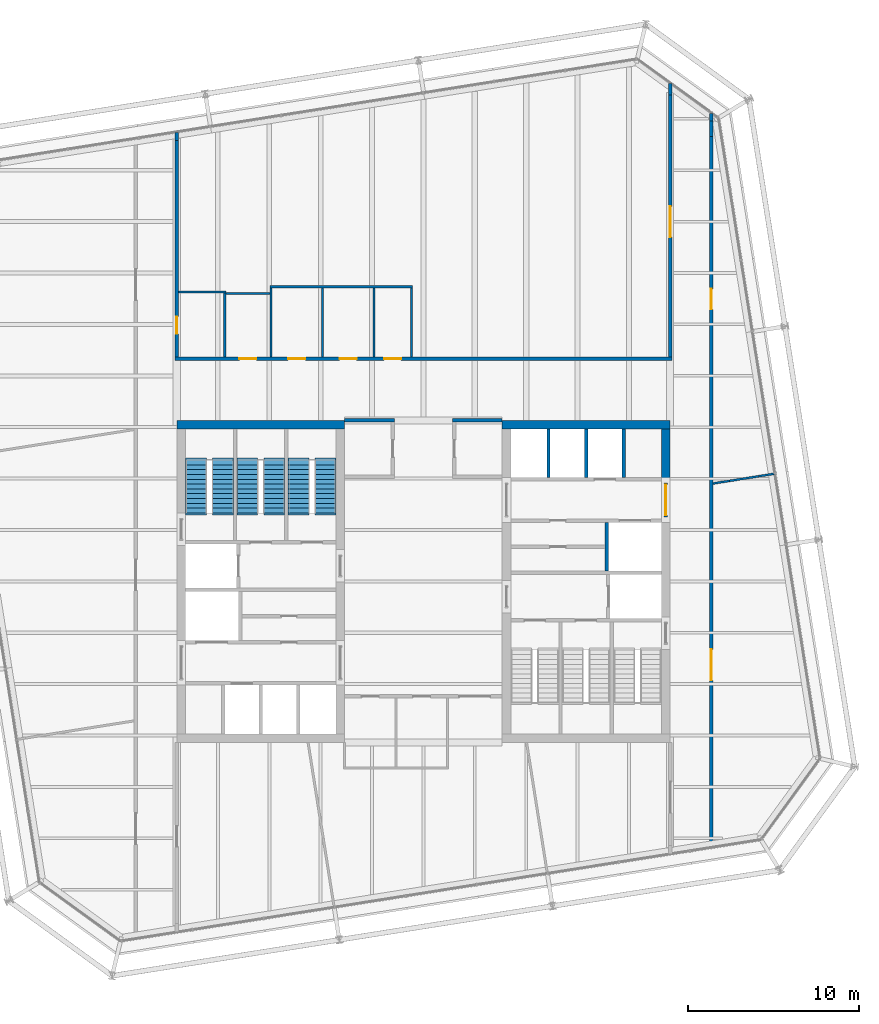
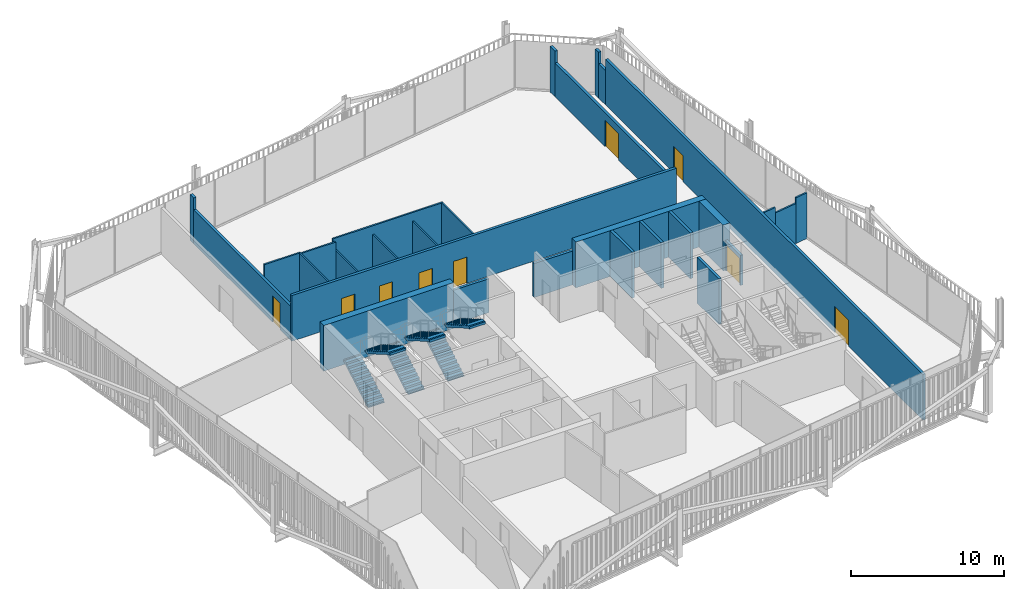
# One storey, part 19 of 21: 29 walls, 9 doors, 6 stair flights, 9 openings, 3 elements without a shape of their own.
"""IFC4 building model written with IfcOpenShell, lengths in metres."""

from ifc_helpers import new_model, si_unit, direction, frame, frame_2d, origin, place, context, subcontext, project, spatial, polyline, rectangle, outline, extrude, material, layer, layer_set, type_object, element, fill, aggregate, save


model = new_model("IFC4")

# Units and contexts
model_context = context("Model", 3, precision=1e-05, world=origin(), true_north=direction((0.0, 1.0)))
body_context = subcontext(model_context, "Body", "Model", "MODEL_VIEW")
ifc_project = project(units=[si_unit("LENGTHUNIT", "METRE"), si_unit("AREAUNIT", "SQUARE_METRE"), si_unit("VOLUMEUNIT", "CUBIC_METRE"), si_unit("PLANEANGLEUNIT", "RADIAN"), si_unit("MASSUNIT", "GRAM", prefix="KILO")], contexts=[model_context])

# Site, building, storey
site_placement = place(None, origin())
site = spatial("IfcSite", under=ifc_project, at=site_placement, CompositionType="ELEMENT")
building_placement = place(site_placement, origin())
building = spatial("IfcBuilding", under=site, at=building_placement, Name="Millrace Tower", CompositionType="ELEMENT")
storey_placement = place(building_placement, frame((0.0, 0.0, 263.0)))
storey = spatial("IfcBuildingStorey", under=building, at=storey_placement, Name="L60", CompositionType="ELEMENT", Elevation=263.0)

# Walls
ifc_material_1 = material(Name="Concrete C60", Category="concrete")
ifc_layer_1 = layer(ifc_material_1, 0.5)
ifc_layer_set_1 = layer_set([ifc_layer_1], Name="Concrete C60")
wall_type_1 = type_object("IfcWallType", Name="Core wall 500 Concrete C60", PredefinedType="SHEAR", material=ifc_layer_set_1)
for number, where, z_axis, x_axis, name in (
    (1, (-14.39990234375, 9.14990234375, 0.0), (0.0, 0.0, 1.0), (1.0, 0.0, 0.0), "Core wall W L60"),
    (2, (14.39990234375, 9.14990234375, 0.0), (0.0, 0.0, 1.0), (-1.0, 0.0, 0.0), "Core wall E L60"),
):
    element("IfcWall", number, at=place(storey_placement, frame(where, z_axis=z_axis, x_axis=x_axis)), inside=storey, type_object=wall_type_1, Name=name, PredefinedType="SHEAR", context=body_context, shape_type="SweptSolid", body=[
        extrude(rectangle(XDim=9.7998046875, YDim=0.5, at=frame_2d((4.89990234375, 0.0))), origin(), (0.0, 0.0, 1.0), 3.64990234375),
    ])
wall_1_placement = place(storey_placement, frame((14.14990234375, 8.89990234375, 0.0), z_axis=(0.0, 0.0, 1.0), x_axis=(0.0, -1.0, 0.0)))
element("IfcWall", 3, at=wall_1_placement, inside=storey, type_object=wall_type_1, Name="Core wall E L60", PredefinedType="SHEAR", context=body_context, shape_type="SweptSolid", body=[
    extrude(rectangle(XDim=3.14990234375, YDim=0.5, at=frame_2d((1.574951171875, 0.0))), origin(), (0.0, 0.0, 1.0), 3.64990234375),
])
ifc_material_2 = material(Name="Masonry partition, fire-rated", Category="masonry")
ifc_layer_2 = layer(ifc_material_2, 0.199951171875)
ifc_layer_set_2 = layer_set([ifc_layer_2], Name="Masonry partition, fire-rated")
wall_type_2 = type_object("IfcWallType", Name="Corridor wall 200", PredefinedType="PARTITIONING", material=ifc_layer_set_2)
for number, where, z_axis, x_axis, name in (
    (4, (-4.60009765625, 9.39990234375, 0.0), (0.0, 0.0, 1.0), (1.0, 0.0, 0.0), "Corridor wall L60"),
    (5, (1.699951171875, 9.39990234375, 0.0), (0.0, 0.0, 1.0), (1.0, 0.0, 0.0), "Corridor wall L60"),
):
    element("IfcWall", number, at=place(storey_placement, frame(where, z_axis=z_axis, x_axis=x_axis)), inside=storey, type_object=wall_type_2, Name=name, PredefinedType="PARTITIONING", context=body_context, shape_type="SweptSolid", body=[
        extrude(rectangle(XDim=2.900146484375, YDim=0.199951171875, at=frame_2d((1.4501953125, 0.0))), origin(), (0.0, 0.0, 1.0), 2.70263671875),
    ])

# Wall, openings, doors
wall_2_placement = place(storey_placement, frame((-14.5, 13.0, 0.0), z_axis=(0.0, 0.0, 1.0), x_axis=(1.0, 0.0, 0.0)))
wall_2 = element("IfcWall", 6, at=wall_2_placement, inside=storey, type_object=wall_type_2, Name="Corridor wall L60", PredefinedType="PARTITIONING", context=body_context, shape_type="SweptSolid", body=[
    extrude(rectangle(XDim=29.0, YDim=0.199951171875, at=frame_2d((14.5, 0.0))), origin(), (0.0, 0.0, 1.0), 3.64990234375),
])
opening_1_placement = place(wall_2_placement, frame((3.75, 0.0, 0.0)))
opening_1 = element("IfcOpeningElement", 7, at=opening_1_placement, cuts=wall_2, Name="Opening 60-P008", PredefinedType="OPENING", context=body_context, shape_type="SweptSolid", body=[
    extrude(rectangle(XDim=1.0, YDim=2.10009765625, at=frame_2d((0.5, 1.050048828125))), frame((0.0, 0.10986328125, 0.0), z_axis=(0.0, -1.0, 0.0), x_axis=(1.0, 0.0, 0.0)), (0.0, 0.0, 1.0), 0.219970703125),
])
opening_2_placement = place(wall_2_placement, frame((6.60009765625, 0.0, 0.0)))
opening_2 = element("IfcOpeningElement", 8, at=opening_2_placement, cuts=wall_2, Name="Opening 60-P016", PredefinedType="OPENING", context=body_context, shape_type="SweptSolid", body=[
    extrude(rectangle(XDim=1.0, YDim=2.10009765625, at=frame_2d((0.5, 1.050048828125))), frame((0.0, 0.10986328125, 0.0), z_axis=(0.0, -1.0, 0.0), x_axis=(1.0, 0.0, 0.0)), (0.0, 0.0, 1.0), 0.219970703125),
])
opening_3_placement = place(wall_2_placement, frame((9.60009765625, 0.0, 0.0)))
opening_3 = element("IfcOpeningElement", 9, at=opening_3_placement, cuts=wall_2, Name="Opening 60-P017", PredefinedType="OPENING", context=body_context, shape_type="SweptSolid", body=[
    extrude(rectangle(XDim=1.0, YDim=2.10009765625, at=frame_2d((0.5, 1.050048828125))), frame((0.0, 0.10986328125, 0.0), z_axis=(0.0, -1.0, 0.0), x_axis=(1.0, 0.0, 0.0)), (0.0, 0.0, 1.0), 0.219970703125),
])
opening_4_placement = place(wall_2_placement, frame((12.199951171875, 0.0, 0.0)))
opening_4 = element("IfcOpeningElement", 10, at=opening_4_placement, cuts=wall_2, Name="Opening 60-P018", PredefinedType="OPENING", context=body_context, shape_type="SweptSolid", body=[
    extrude(rectangle(XDim=1.0, YDim=2.10009765625, at=frame_2d((0.5, 1.050048828125))), frame((0.0, 0.10986328125, 0.0), z_axis=(0.0, -1.0, 0.0), x_axis=(1.0, 0.0, 0.0)), (0.0, 0.0, 1.0), 0.219970703125),
])
ifc_material_3 = material(Name="Steel door set, fire-rated", Category="steel")
door_type_1 = type_object("IfcDoorType", Name="Corridor door 1000 x 2100", OperationType="SINGLE_SWING_LEFT", PredefinedType="DOOR", material=ifc_material_3)
door_1_placement = place(opening_1_placement, origin())
door_1 = element("IfcDoor", 11, at=door_1_placement, inside=storey, type_object=door_type_1, Name="Door 60-P008", OperationType="SINGLE_SWING_LEFT", OverallHeight=2.10009765625, OverallWidth=1.0, PredefinedType="DOOR", context=body_context, shape_type="SweptSolid", body=[
    extrude(rectangle(XDim=1.0, YDim=2.10009765625, at=frame_2d((0.5, 1.050048828125))), frame((0.0, 0.02490234375, 0.0), z_axis=(0.0, -1.0, 0.0), x_axis=(1.0, 0.0, 0.0)), (0.0, 0.0, 1.0), 0.050048828125),
])
fill(opening_1, door_1)
door_2_placement = place(opening_2_placement, origin())
door_2 = element("IfcDoor", 12, at=door_2_placement, inside=storey, type_object=door_type_1, Name="Door 60-P016", OperationType="SINGLE_SWING_LEFT", OverallHeight=2.10009765625, OverallWidth=1.0, PredefinedType="DOOR", context=body_context, shape_type="SweptSolid", body=[
    extrude(rectangle(XDim=1.0, YDim=2.10009765625, at=frame_2d((0.5, 1.050048828125))), frame((0.0, 0.02490234375, 0.0), z_axis=(0.0, -1.0, 0.0), x_axis=(1.0, 0.0, 0.0)), (0.0, 0.0, 1.0), 0.050048828125),
])
fill(opening_2, door_2)
door_3_placement = place(opening_3_placement, origin())
door_3 = element("IfcDoor", 13, at=door_3_placement, inside=storey, type_object=door_type_1, Name="Door 60-P017", OperationType="SINGLE_SWING_LEFT", OverallHeight=2.10009765625, OverallWidth=1.0, PredefinedType="DOOR", context=body_context, shape_type="SweptSolid", body=[
    extrude(rectangle(XDim=1.0, YDim=2.10009765625, at=frame_2d((0.5, 1.050048828125))), frame((0.0, 0.02490234375, 0.0), z_axis=(0.0, -1.0, 0.0), x_axis=(1.0, 0.0, 0.0)), (0.0, 0.0, 1.0), 0.050048828125),
])
fill(opening_3, door_3)
door_4_placement = place(opening_4_placement, origin())
door_4 = element("IfcDoor", 14, at=door_4_placement, inside=storey, type_object=door_type_1, Name="Door 60-P018", OperationType="SINGLE_SWING_LEFT", OverallHeight=2.10009765625, OverallWidth=1.0, PredefinedType="DOOR", context=body_context, shape_type="SweptSolid", body=[
    extrude(rectangle(XDim=1.0, YDim=2.10009765625, at=frame_2d((0.5, 1.050048828125))), frame((0.0, 0.02490234375, 0.0), z_axis=(0.0, -1.0, 0.0), x_axis=(1.0, 0.0, 0.0)), (0.0, 0.0, 1.0), 0.050048828125),
])
fill(opening_4, door_4)

wall_3_placement = place(storey_placement, frame((16.800048828125, -15.494384765625, 0.0), z_axis=(0.0, 0.0, 1.0), x_axis=(0.0, 1.0, 0.0)))
wall_3 = element("IfcWall", 15, at=wall_3_placement, inside=storey, type_object=wall_type_2, Name="Corridor wall L60", PredefinedType="PARTITIONING", context=body_context, shape_type="SweptSolid", body=[
    extrude(rectangle(XDim=41.457275390625, YDim=0.199951171875, at=frame_2d((20.728515625, 0.0))), origin(), (0.0, 0.0, 1.0), 3.64990234375),
])
opening_5_placement = place(wall_3_placement, frame((9.720458984375, 0.0, 0.0)))
opening_5 = element("IfcOpeningElement", 16, at=opening_5_placement, cuts=wall_3, Name="Opening 60-P009", PredefinedType="OPENING", context=body_context, shape_type="SweptSolid", body=[
    extrude(rectangle(XDim=1.800048828125, YDim=2.10009765625, at=frame_2d((0.89990234375, 1.050048828125))), frame((0.0, 0.10986328125, 0.0), z_axis=(0.0, -1.0, 0.0), x_axis=(1.0, 0.0, 0.0)), (0.0, 0.0, 1.0), 0.219970703125),
])
opening_6_placement = place(wall_3_placement, frame((31.368408203125, 0.0, 0.0)))
opening_6 = element("IfcOpeningElement", 17, at=opening_6_placement, cuts=wall_3, Name="Opening 60-P010", PredefinedType="OPENING", context=body_context, shape_type="SweptSolid", body=[
    extrude(rectangle(XDim=1.199951171875, YDim=2.10009765625, at=frame_2d((0.60009765625, 1.050048828125))), frame((0.0, 0.10986328125, 0.0), z_axis=(0.0, -1.0, 0.0), x_axis=(1.0, 0.0, 0.0)), (0.0, 0.0, 1.0), 0.219970703125),
])
ifc_material_4 = material(Name="Steel door set, fire-rated", Category="steel")
door_type_2 = type_object("IfcDoorType", Name="Corridor door 1200 x 2100", OperationType="SINGLE_SWING_LEFT", PredefinedType="DOOR", material=ifc_material_4)
door_5_placement = place(opening_6_placement, origin())
door_5 = element("IfcDoor", 18, at=door_5_placement, inside=storey, type_object=door_type_2, Name="Door 60-P010", OperationType="SINGLE_SWING_RIGHT", OverallHeight=2.10009765625, OverallWidth=1.199951171875, PredefinedType="DOOR", context=body_context, shape_type="SweptSolid", body=[
    extrude(rectangle(XDim=1.199951171875, YDim=2.10009765625, at=frame_2d((0.60009765625, 1.050048828125))), frame((0.0, 0.02490234375, 0.0), z_axis=(0.0, -1.0, 0.0), x_axis=(1.0, 0.0, 0.0)), (0.0, 0.0, 1.0), 0.050048828125),
])
fill(opening_6, door_5)
ifc_material_5 = material(Name="Steel door set, fire-rated", Category="steel")
door_type_3 = type_object("IfcDoorType", Name="Corridor door 1800 x 2100", OperationType="DOUBLE_DOOR_SINGLE_SWING", PredefinedType="DOOR", material=ifc_material_5)
door_6_placement = place(opening_5_placement, frame((1.800048828125, 0.0, 0.0), z_axis=(0.0, 0.0, 1.0), x_axis=(-1.0, 0.0, 0.0)))
door_6 = element("IfcDoor", 19, at=door_6_placement, inside=storey, type_object=door_type_3, Name="Door 60-P009", OperationType="DOUBLE_DOOR_SINGLE_SWING", OverallHeight=2.10009765625, OverallWidth=1.800048828125, PredefinedType="DOOR", context=body_context, shape_type="SweptSolid", body=[
    extrude(rectangle(XDim=1.800048828125, YDim=2.10009765625, at=frame_2d((0.89990234375, 1.050048828125))), frame((0.0, 0.02490234375, 0.0), z_axis=(0.0, -1.0, 0.0), x_axis=(1.0, 0.0, 0.0)), (0.0, 0.0, 1.0), 0.050048828125),
])
fill(opening_5, door_6)

# Walls
wall_4_placement = place(storey_placement, frame((16.800048828125, 25.962890625, 0.0), z_axis=(0.0, 0.0, 1.0), x_axis=(0.0, 1.0, 0.0)))
element("IfcWall", 20, at=wall_4_placement, inside=storey, type_object=wall_type_2, Name="Corridor wall L60", PredefinedType="PARTITIONING", context=body_context, shape_type="SweptSolid", body=[
    extrude(rectangle(XDim=0.9228515625, YDim=0.199951171875, at=frame_2d((0.46142578125, 0.0))), origin(), (0.0, 0.0, 1.0), 2.712646484375),
])
wall_5_placement = place(storey_placement, frame((16.800048828125, 26.8857421875, 0.0), z_axis=(0.0, 0.0, 1.0), x_axis=(0.0, 1.0, 0.0)))
element("IfcWall", 21, at=wall_5_placement, inside=storey, type_object=wall_type_2, Name="Corridor wall L60", PredefinedType="PARTITIONING", context=body_context, shape_type="SweptSolid", body=[
    extrude(rectangle(XDim=0.428466796875, YDim=0.199951171875, at=frame_2d((0.21435546875, 0.0))), origin(), (0.0, 0.0, 1.0), 3.64990234375),
])

# Wall, opening, door
wall_6_placement = place(storey_placement, frame((14.39990234375, 13.10009765625, 0.0), z_axis=(0.0, 0.0, 1.0), x_axis=(0.0, 1.0, 0.0)))
wall_6 = element("IfcWall", 22, at=wall_6_placement, inside=storey, type_object=wall_type_2, Name="Corridor wall L60", PredefinedType="PARTITIONING", context=body_context, shape_type="SweptSolid", body=[
    extrude(rectangle(XDim=15.299560546875, YDim=0.199951171875, at=frame_2d((7.64990234375, 0.0))), origin(), (0.0, 0.0, 1.0), 2.70263671875),
])
opening_7_placement = place(wall_6_placement, frame((6.998046875, 0.0, 0.0)))
opening_7 = element("IfcOpeningElement", 23, at=opening_7_placement, cuts=wall_6, Name="Opening 60-P006", PredefinedType="OPENING", context=body_context, shape_type="SweptSolid", body=[
    extrude(rectangle(XDim=1.800048828125, YDim=2.10009765625, at=frame_2d((0.89990234375, 1.050048828125))), frame((0.0, 0.10986328125, 0.0), z_axis=(0.0, -1.0, 0.0), x_axis=(1.0, 0.0, 0.0)), (0.0, 0.0, 1.0), 0.219970703125),
])
door_7_placement = place(opening_7_placement, frame((1.800048828125, 0.0, 0.0), z_axis=(0.0, 0.0, 1.0), x_axis=(-1.0, 0.0, 0.0)))
door_7 = element("IfcDoor", 24, at=door_7_placement, inside=storey, type_object=door_type_3, Name="Door 60-P006", OperationType="DOUBLE_DOOR_SINGLE_SWING", OverallHeight=2.10009765625, OverallWidth=1.800048828125, PredefinedType="DOOR", context=body_context, shape_type="SweptSolid", body=[
    extrude(rectangle(XDim=1.800048828125, YDim=2.10009765625, at=frame_2d((0.89990234375, 1.050048828125))), frame((0.0, 0.02490234375, 0.0), z_axis=(0.0, -1.0, 0.0), x_axis=(1.0, 0.0, 0.0)), (0.0, 0.0, 1.0), 0.050048828125),
])
fill(opening_7, door_7)

# Wall
wall_7_placement = place(storey_placement, frame((14.39990234375, 28.399658203125, 0.0), z_axis=(0.0, 0.0, 1.0), x_axis=(0.0, 1.0, 0.0)))
element("IfcWall", 25, at=wall_7_placement, inside=storey, type_object=wall_type_2, Name="Corridor wall L60", PredefinedType="PARTITIONING", context=body_context, shape_type="SweptSolid", body=[
    extrude(rectangle(XDim=0.658203125, YDim=0.199951171875, at=frame_2d((0.3291015625, 0.0))), origin(), (0.0, 0.0, 1.0), 3.64990234375),
])

# Wall, opening, door
wall_8_placement = place(storey_placement, frame((-14.39990234375, 13.10009765625, 0.0), z_axis=(0.0, 0.0, 1.0), x_axis=(0.0, 1.0, 0.0)))
wall_8 = element("IfcWall", 26, at=wall_8_placement, inside=storey, type_object=wall_type_2, Name="Corridor wall L60", PredefinedType="PARTITIONING", context=body_context, shape_type="SweptSolid", body=[
    extrude(rectangle(XDim=12.6328125, YDim=0.199951171875, at=frame_2d((6.31640625, 0.0))), origin(), (0.0, 0.0, 1.0), 2.70263671875),
])
opening_8_placement = place(wall_8_placement, frame((1.35009765625, 0.0, 0.0)))
opening_8 = element("IfcOpeningElement", 27, at=opening_8_placement, cuts=wall_8, Name="Opening 60-P007", PredefinedType="OPENING", context=body_context, shape_type="SweptSolid", body=[
    extrude(rectangle(XDim=1.0, YDim=2.10009765625, at=frame_2d((0.5, 1.050048828125))), frame((0.0, 0.10986328125, 0.0), z_axis=(0.0, -1.0, 0.0), x_axis=(1.0, 0.0, 0.0)), (0.0, 0.0, 1.0), 0.219970703125),
])
door_8_placement = place(opening_8_placement, frame((1.0, 0.0, 0.0), z_axis=(0.0, 0.0, 1.0), x_axis=(-1.0, 0.0, 0.0)))
door_8 = element("IfcDoor", 28, at=door_8_placement, inside=storey, type_object=door_type_1, Name="Door 60-P007", OperationType="SINGLE_SWING_RIGHT", OverallHeight=2.10009765625, OverallWidth=1.0, PredefinedType="DOOR", context=body_context, shape_type="SweptSolid", body=[
    extrude(rectangle(XDim=1.0, YDim=2.10009765625, at=frame_2d((0.5, 1.050048828125))), frame((0.0, 0.02490234375, 0.0), z_axis=(0.0, -1.0, 0.0), x_axis=(1.0, 0.0, 0.0)), (0.0, 0.0, 1.0), 0.050048828125),
])
fill(opening_8, door_8)

# Walls
wall_9_placement = place(storey_placement, frame((-14.39990234375, 25.73291015625, 0.0), z_axis=(0.0, 0.0, 1.0), x_axis=(0.0, 1.0, 0.0)))
element("IfcWall", 29, at=wall_9_placement, inside=storey, type_object=wall_type_2, Name="Corridor wall L60", PredefinedType="PARTITIONING", context=body_context, shape_type="SweptSolid", body=[
    extrude(rectangle(XDim=0.46533203125, YDim=0.199951171875, at=frame_2d((0.232666015625, 0.0))), origin(), (0.0, 0.0, 1.0), 3.64990234375),
])
ifc_material_6 = material(Name="Masonry partition, fire-rated", Category="masonry")
ifc_layer_3 = layer(ifc_material_6, 0.199951171875)
ifc_layer_set_3 = layer_set([ifc_layer_3], Name="Masonry partition, fire-rated")
wall_type_3 = type_object("IfcWallType", Name="Lift shaft wall 200", PredefinedType="PARTITIONING", material=ifc_layer_set_3)
for number, where, z_axis, x_axis, name in (
    (30, (11.699951171875, 8.89990234375, 0.0), (0.0, 0.0, 1.0), (0.0, -1.0, 0.0), "Lift shaft wall E L60"),
    (31, (9.5, 8.89990234375, 0.0), (0.0, 0.0, 1.0), (0.0, -1.0, 0.0), "Lift shaft wall E L60"),
    (32, (7.300048828125, 8.89990234375, 0.0), (0.0, 0.0, 1.0), (0.0, -1.0, 0.0), "Lift shaft wall E L60"),
    (33, (10.699951171875, 3.449951171875, 0.0), (0.0, 0.0, 1.0), (0.0, -1.0, 0.0), "Lift shaft wall E L60"),
):
    element("IfcWall", number, at=place(storey_placement, frame(where, z_axis=z_axis, x_axis=x_axis)), inside=storey, type_object=wall_type_3, Name=name, PredefinedType="PARTITIONING", context=body_context, shape_type="SweptSolid", body=[
        extrude(rectangle(XDim=2.849853515625, YDim=0.199951171875, at=frame_2d((1.4248046875, 0.0))), origin(), (0.0, 0.0, 1.0), 3.64990234375),
    ])

# Wall, opening, door
ifc_material_7 = material(Name="Masonry partition, fire-rated", Category="masonry")
ifc_layer_4 = layer(ifc_material_7, 0.199951171875)
ifc_layer_set_4 = layer_set([ifc_layer_4], Name="Masonry partition, fire-rated")
wall_type_4 = type_object("IfcWallType", Name="Lobby wall 200", PredefinedType="PARTITIONING", material=ifc_layer_set_4)
wall_10_placement = place(storey_placement, frame((14.14990234375, 5.75, 0.0), z_axis=(0.0, 0.0, 1.0), x_axis=(0.0, -1.0, 0.0)))
wall_10 = element("IfcWall", 34, at=wall_10_placement, inside=storey, type_object=wall_type_4, Name="Lobby wall E L60", PredefinedType="PARTITIONING", context=body_context, shape_type="SweptSolid", body=[
    extrude(rectangle(XDim=2.0, YDim=0.199951171875, at=frame_2d((1.0, 0.0))), origin(), (0.0, 0.0, 1.0), 2.39990234375),
])
opening_9_placement = place(wall_10_placement, frame((0.10009765625, 0.0, 0.0)))
opening_9 = element("IfcOpeningElement", 35, at=opening_9_placement, cuts=wall_10, Name="Opening 60-C009", PredefinedType="OPENING", context=body_context, shape_type="SweptSolid", body=[
    extrude(rectangle(XDim=1.800048828125, YDim=2.10009765625, at=frame_2d((0.89990234375, 1.050048828125))), frame((0.0, 0.10986328125, 0.0), z_axis=(0.0, -1.0, 0.0), x_axis=(1.0, 0.0, 0.0)), (0.0, 0.0, 1.0), 0.219970703125),
])
ifc_material_8 = material(Name="Steel door, fire-rated", Category="steel")
door_type_4 = type_object("IfcDoorType", Name="Lobby door 1800 x 2100", OperationType="DOUBLE_DOOR_SINGLE_SWING", PredefinedType="DOOR", material=ifc_material_8)
door_9_placement = place(opening_9_placement, origin())
door_9 = element("IfcDoor", 36, at=door_9_placement, inside=storey, type_object=door_type_4, Name="Lobby door 60-C009", OperationType="DOUBLE_DOOR_SINGLE_SWING", OverallHeight=2.10009765625, OverallWidth=1.800048828125, PredefinedType="DOOR", context=body_context, shape_type="SweptSolid", body=[
    extrude(rectangle(XDim=1.800048828125, YDim=2.10009765625, at=frame_2d((0.89990234375, 1.050048828125))), frame((0.0, 0.02490234375, 0.0), z_axis=(0.0, -1.0, 0.0), x_axis=(1.0, 0.0, 0.0)), (0.0, 0.0, 1.0), 0.050048828125),
])
fill(opening_9, door_9)

# Walls
ifc_material_9 = material(Name="Gypsum board partition")
ifc_layer_5 = layer(ifc_material_9, 0.1201171875)
ifc_layer_set_5 = layer_set([ifc_layer_5], Name="Gypsum board partition")
wall_type_5 = type_object("IfcWallType", Name="Partition wall 120", PredefinedType="PARTITIONING", material=ifc_layer_set_5)
wall_11_placement = place(storey_placement, frame((-11.5400390625, 16.800048828125, 0.0), z_axis=(0.0, 0.0, 1.0), x_axis=(1.0, 0.0, 0.0)))
element("IfcWall", 37, at=wall_11_placement, inside=storey, type_object=wall_type_5, Name="Partition wall L60", PredefinedType="PARTITIONING", context=body_context, shape_type="SweptSolid", body=[
    extrude(rectangle(XDim=2.580078125, YDim=0.1201171875, at=frame_2d((1.2900390625, 0.0))), origin(), (0.0, 0.0, 1.0), 3.64990234375),
])
wall_12_placement = place(storey_placement, frame((-14.300048828125, 16.89990234375, 0.0), z_axis=(0.0, 0.0, 1.0), x_axis=(1.0, 0.0, 0.0)))
element("IfcWall", 38, at=wall_12_placement, inside=storey, type_object=wall_type_5, Name="Partition wall L60", PredefinedType="PARTITIONING", context=body_context, shape_type="SweptSolid", body=[
    extrude(rectangle(XDim=2.760009765625, YDim=0.1201171875, at=frame_2d((1.3798828125, 0.0))), origin(), (0.0, 0.0, 1.0), 3.64990234375),
])
wall_13_placement = place(storey_placement, frame((-8.9599609375, 17.199951171875, 0.0), z_axis=(0.0, 0.0, 1.0), x_axis=(1.0, 0.0, 0.0)))
element("IfcWall", 39, at=wall_13_placement, inside=storey, type_object=wall_type_5, Name="Partition wall L60", PredefinedType="PARTITIONING", context=body_context, shape_type="SweptSolid", body=[
    extrude(rectangle(XDim=8.320068359375, YDim=0.1201171875, at=frame_2d((4.16015625, 0.0))), origin(), (0.0, 0.0, 1.0), 3.64990234375),
])
wall_14_placement = place(storey_placement, frame((16.898681640625, 5.711669921875, 0.0), z_axis=(0.0, 0.0, 1.0), x_axis=(0.987667470329, 0.156566177874, 0.0)))
element("IfcWall", 40, at=wall_14_placement, inside=storey, type_object=wall_type_5, Name="Partition wall L60", PredefinedType="PARTITIONING", context=body_context, shape_type="SweptSolid", body=[
    extrude(rectangle(XDim=0.97607421875, YDim=0.1201171875, at=frame_2d((0.488037109375, 0.0))), origin(), (0.0, 0.0, 1.0), 3.64990234375),
])
wall_15_placement = place(storey_placement, frame((17.86279296875, 5.864501953125, 0.0), z_axis=(0.0, 0.0, 1.0), x_axis=(0.987652864961, 0.15665828524, 0.0)))
element("IfcWall", 41, at=wall_15_placement, inside=storey, type_object=wall_type_5, Name="Partition wall L60", PredefinedType="PARTITIONING", context=body_context, shape_type="SweptSolid", body=[
    extrude(rectangle(XDim=1.729736328125, YDim=0.1201171875, at=frame_2d((0.86474609375, 0.0))), origin(), (0.0, 0.0, 1.0), 3.200439453125),
])
wall_16_placement = place(storey_placement, frame((19.5712890625, 6.135498046875, 0.0), z_axis=(0.0, 0.0, 1.0), x_axis=(0.987654540573, 0.156647720972, 0.0)))
element("IfcWall", 42, at=wall_16_placement, inside=storey, type_object=wall_type_5, Name="Partition wall L60", PredefinedType="PARTITIONING", context=body_context, shape_type="SweptSolid", body=[
    extrude(rectangle(XDim=0.914794921875, YDim=0.1201171875, at=frame_2d((0.45751953125, 0.0))), origin(), (0.0, 0.0, 1.0), 3.64990234375),
])
wall_17_placement = place(storey_placement, frame((-0.699951171875, 13.10009765625, 0.0), z_axis=(0.0, 0.0, 1.0), x_axis=(0.0, 1.0, 0.0)))
element("IfcWall", 43, at=wall_17_placement, inside=storey, type_object=wall_type_5, Name="Partition wall L60", PredefinedType="PARTITIONING", context=body_context, shape_type="SweptSolid", body=[
    extrude(rectangle(XDim=4.039794921875, YDim=0.1201171875, at=frame_2d((2.02001953125, 0.0))), origin(), (0.0, 0.0, 1.0), 3.64990234375),
])
for number, where, z_axis, x_axis, name in (
    (44, (-2.89990234375, 13.10009765625, 0.0), (0.0, 0.0, 1.0), (0.0, 1.0, 0.0), "Partition wall L60"),
    (45, (-5.89990234375, 13.10009765625, 0.0), (0.0, 0.0, 1.0), (0.0, 1.0, 0.0), "Partition wall L60"),
    (46, (-8.89990234375, 13.10009765625, 0.0), (0.0, 0.0, 1.0), (0.0, 1.0, 0.0), "Partition wall L60"),
):
    element("IfcWall", number, at=place(storey_placement, frame(where, z_axis=z_axis, x_axis=x_axis)), inside=storey, type_object=wall_type_5, Name=name, PredefinedType="PARTITIONING", context=body_context, shape_type="SweptSolid", body=[
        extrude(rectangle(XDim=4.039794921875, YDim=0.1201171875, at=frame_2d((2.02001953125, 0.0))), origin(), (0.0, 0.0, 1.0), 2.95654296875),
    ])
wall_18_placement = place(storey_placement, frame((-11.60009765625, 13.10009765625, 0.0), z_axis=(0.0, 0.0, 1.0), x_axis=(0.0, 1.0, 0.0)))
element("IfcWall", 47, at=wall_18_placement, inside=storey, type_object=wall_type_5, Name="Partition wall L60", PredefinedType="PARTITIONING", context=body_context, shape_type="SweptSolid", body=[
    extrude(rectangle(XDim=3.739990234375, YDim=0.1201171875, at=frame_2d((1.8701171875, 0.0))), origin(), (0.0, 0.0, 1.0), 3.64990234375),
])

# Stair, stair flights
ifc_material_10 = material(Name="Concrete C35", Category="concrete")
stair_type = type_object("IfcStairType", Name="Exit stair", PredefinedType="HALF_TURN_STAIR", material=ifc_material_10)
placement = place(storey_placement, origin())
stair_1 = element("IfcStair", 48, at=placement, inside=storey, type_object=stair_type, Name="Stair 1 W L60", PredefinedType="HALF_TURN_STAIR")
ifc_material_11 = material(Name="Concrete C35", Category="concrete")
stair_flight_type = type_object("IfcStairFlightType", Name="Exit stair flight", PredefinedType="STRAIGHT", material=ifc_material_11)
stair_flight_1_placement = place(storey_placement, frame((-13.2900390625, 4.0, 0.0), z_axis=(0.0, 0.0, 1.0), x_axis=(0.0, 1.0, 0.0)))
stair_flight_1 = element("IfcStairFlight", 49, at=stair_flight_1_placement, type_object=stair_flight_type, Name="ST12 flight 1", NumberOfRisers=12, NumberOfTreads=11, PredefinedType="STRAIGHT", RiserHeight=0.1625, TreadLength=0.28, context=body_context, shape_type="SweptSolid", body=[
    extrude(outline(polyline([(-0.1201171875, -0.0400390625), (-0.1201171875, 0.0), (0.0, 0.0), (0.0, 0.16259765625), (0.280029296875, 0.16259765625), (0.280029296875, 0.324951171875), (0.56005859375, 0.324951171875), (0.56005859375, 0.487548828125), (0.840087890625, 0.487548828125), (0.840087890625, 0.64990234375), (1.1201171875, 0.64990234375), (1.1201171875, 0.8125), (1.39990234375, 0.8125), (1.39990234375, 0.97509765625), (1.679931640625, 0.97509765625), (1.679931640625, 1.137451171875), (1.9599609375, 1.137451171875), (1.9599609375, 1.300048828125), (2.239990234375, 1.300048828125), (2.239990234375, 1.46240234375), (2.52001953125, 1.46240234375), (2.52001953125, 1.625), (2.800048828125, 1.625), (2.800048828125, 1.78759765625), (3.080078125, 1.78759765625), (3.080078125, 1.8076171875), (3.199951171875, 1.8076171875), (3.199951171875, 1.6142578125), (3.080078125, 1.6142578125), (0.298583984375, 0.0), (0.298583984375, -0.0400390625), (-0.1201171875, -0.0400390625)])), frame((0.0, 0.60986328125, 0.0), z_axis=(0.0, -1.0, 0.0), x_axis=(1.0, 0.0, 0.0)), (0.0, 0.0, 1.0), 1.219970703125),
])
stair_flight_2_placement = place(storey_placement, frame((-11.7099609375, 7.080078125, 1.949951171875), z_axis=(0.0, 0.0, 1.0), x_axis=(0.0, -1.0, 0.0)))
stair_flight_2 = element("IfcStairFlight", 50, at=stair_flight_2_placement, type_object=stair_flight_type, Name="ST12 flight 2", NumberOfRisers=12, NumberOfTreads=11, PredefinedType="STRAIGHT", RiserHeight=0.1625, TreadLength=0.28, context=body_context, shape_type="SweptSolid", body=[
    extrude(outline(polyline([(-0.1201171875, -0.0400390625), (-0.1201171875, 0.0), (0.0, 0.0), (0.0, 0.16259765625), (0.280029296875, 0.16259765625), (0.280029296875, 0.324951171875), (0.56005859375, 0.324951171875), (0.56005859375, 0.487548828125), (0.840087890625, 0.487548828125), (0.840087890625, 0.64990234375), (1.1201171875, 0.64990234375), (1.1201171875, 0.8125), (1.39990234375, 0.8125), (1.39990234375, 0.97509765625), (1.679931640625, 0.97509765625), (1.679931640625, 1.137451171875), (1.9599609375, 1.137451171875), (1.9599609375, 1.300048828125), (2.239990234375, 1.300048828125), (2.239990234375, 1.46240234375), (2.52001953125, 1.46240234375), (2.52001953125, 1.625), (2.800048828125, 1.625), (2.800048828125, 1.78759765625), (3.080078125, 1.78759765625), (3.080078125, 1.8076171875), (3.199951171875, 1.8076171875), (3.199951171875, 1.6142578125), (3.080078125, 1.6142578125), (0.298583984375, 0.0), (0.298583984375, -0.0400390625), (-0.1201171875, -0.0400390625)])), frame((0.0, 0.60986328125, 0.0), z_axis=(0.0, -1.0, 0.0), x_axis=(1.0, 0.0, 0.0)), (0.0, 0.0, 1.0), 1.219970703125),
])
aggregate(stair_1, [stair_flight_1, stair_flight_2])

stair_2 = element("IfcStair", 51, at=placement, inside=storey, type_object=stair_type, Name="Stair 2 W L60", PredefinedType="HALF_TURN_STAIR")
stair_flight_3_placement = place(storey_placement, frame((-10.2900390625, 4.0, 0.0), z_axis=(0.0, 0.0, 1.0), x_axis=(0.0, 1.0, 0.0)))
stair_flight_3 = element("IfcStairFlight", 52, at=stair_flight_3_placement, type_object=stair_flight_type, Name="ST12 flight 1", NumberOfRisers=12, NumberOfTreads=11, PredefinedType="STRAIGHT", RiserHeight=0.1625, TreadLength=0.28, context=body_context, shape_type="SweptSolid", body=[
    extrude(outline(polyline([(-0.1201171875, -0.0400390625), (-0.1201171875, 0.0), (0.0, 0.0), (0.0, 0.16259765625), (0.280029296875, 0.16259765625), (0.280029296875, 0.324951171875), (0.56005859375, 0.324951171875), (0.56005859375, 0.487548828125), (0.840087890625, 0.487548828125), (0.840087890625, 0.64990234375), (1.1201171875, 0.64990234375), (1.1201171875, 0.8125), (1.39990234375, 0.8125), (1.39990234375, 0.97509765625), (1.679931640625, 0.97509765625), (1.679931640625, 1.137451171875), (1.9599609375, 1.137451171875), (1.9599609375, 1.300048828125), (2.239990234375, 1.300048828125), (2.239990234375, 1.46240234375), (2.52001953125, 1.46240234375), (2.52001953125, 1.625), (2.800048828125, 1.625), (2.800048828125, 1.78759765625), (3.080078125, 1.78759765625), (3.080078125, 1.8076171875), (3.199951171875, 1.8076171875), (3.199951171875, 1.6142578125), (3.080078125, 1.6142578125), (0.298583984375, 0.0), (0.298583984375, -0.0400390625), (-0.1201171875, -0.0400390625)])), frame((0.0, 0.60986328125, 0.0), z_axis=(0.0, -1.0, 0.0), x_axis=(1.0, 0.0, 0.0)), (0.0, 0.0, 1.0), 1.219970703125),
])
stair_flight_4_placement = place(storey_placement, frame((-8.7099609375, 7.080078125, 1.949951171875), z_axis=(0.0, 0.0, 1.0), x_axis=(0.0, -1.0, 0.0)))
stair_flight_4 = element("IfcStairFlight", 53, at=stair_flight_4_placement, type_object=stair_flight_type, Name="ST12 flight 2", NumberOfRisers=12, NumberOfTreads=11, PredefinedType="STRAIGHT", RiserHeight=0.1625, TreadLength=0.28, context=body_context, shape_type="SweptSolid", body=[
    extrude(outline(polyline([(-0.1201171875, -0.0400390625), (-0.1201171875, 0.0), (0.0, 0.0), (0.0, 0.16259765625), (0.280029296875, 0.16259765625), (0.280029296875, 0.324951171875), (0.56005859375, 0.324951171875), (0.56005859375, 0.487548828125), (0.840087890625, 0.487548828125), (0.840087890625, 0.64990234375), (1.1201171875, 0.64990234375), (1.1201171875, 0.8125), (1.39990234375, 0.8125), (1.39990234375, 0.97509765625), (1.679931640625, 0.97509765625), (1.679931640625, 1.137451171875), (1.9599609375, 1.137451171875), (1.9599609375, 1.300048828125), (2.239990234375, 1.300048828125), (2.239990234375, 1.46240234375), (2.52001953125, 1.46240234375), (2.52001953125, 1.625), (2.800048828125, 1.625), (2.800048828125, 1.78759765625), (3.080078125, 1.78759765625), (3.080078125, 1.8076171875), (3.199951171875, 1.8076171875), (3.199951171875, 1.6142578125), (3.080078125, 1.6142578125), (0.298583984375, 0.0), (0.298583984375, -0.0400390625), (-0.1201171875, -0.0400390625)])), frame((0.0, 0.60986328125, 0.0), z_axis=(0.0, -1.0, 0.0), x_axis=(1.0, 0.0, 0.0)), (0.0, 0.0, 1.0), 1.219970703125),
])
aggregate(stair_2, [stair_flight_3, stair_flight_4])

stair_3 = element("IfcStair", 54, at=placement, inside=storey, type_object=stair_type, Name="Stair 3 W L60", PredefinedType="HALF_TURN_STAIR")
stair_flight_5_placement = place(storey_placement, frame((-7.2900390625, 4.0, 0.0), z_axis=(0.0, 0.0, 1.0), x_axis=(0.0, 1.0, 0.0)))
stair_flight_5 = element("IfcStairFlight", 55, at=stair_flight_5_placement, type_object=stair_flight_type, Name="ST12 flight 1", NumberOfRisers=12, NumberOfTreads=11, PredefinedType="STRAIGHT", RiserHeight=0.1625, TreadLength=0.28, context=body_context, shape_type="SweptSolid", body=[
    extrude(outline(polyline([(-0.1201171875, -0.0400390625), (-0.1201171875, 0.0), (0.0, 0.0), (0.0, 0.16259765625), (0.280029296875, 0.16259765625), (0.280029296875, 0.324951171875), (0.56005859375, 0.324951171875), (0.56005859375, 0.487548828125), (0.840087890625, 0.487548828125), (0.840087890625, 0.64990234375), (1.1201171875, 0.64990234375), (1.1201171875, 0.8125), (1.39990234375, 0.8125), (1.39990234375, 0.97509765625), (1.679931640625, 0.97509765625), (1.679931640625, 1.137451171875), (1.9599609375, 1.137451171875), (1.9599609375, 1.300048828125), (2.239990234375, 1.300048828125), (2.239990234375, 1.46240234375), (2.52001953125, 1.46240234375), (2.52001953125, 1.625), (2.800048828125, 1.625), (2.800048828125, 1.78759765625), (3.080078125, 1.78759765625), (3.080078125, 1.8076171875), (3.199951171875, 1.8076171875), (3.199951171875, 1.6142578125), (3.080078125, 1.6142578125), (0.298583984375, 0.0), (0.298583984375, -0.0400390625), (-0.1201171875, -0.0400390625)])), frame((0.0, 0.60986328125, 0.0), z_axis=(0.0, -1.0, 0.0), x_axis=(1.0, 0.0, 0.0)), (0.0, 0.0, 1.0), 1.219970703125),
])
stair_flight_6_placement = place(storey_placement, frame((-5.7099609375, 7.080078125, 1.949951171875), z_axis=(0.0, 0.0, 1.0), x_axis=(0.0, -1.0, 0.0)))
stair_flight_6 = element("IfcStairFlight", 56, at=stair_flight_6_placement, type_object=stair_flight_type, Name="ST12 flight 2", NumberOfRisers=12, NumberOfTreads=11, PredefinedType="STRAIGHT", RiserHeight=0.1625, TreadLength=0.28, context=body_context, shape_type="SweptSolid", body=[
    extrude(outline(polyline([(-0.1201171875, -0.0400390625), (-0.1201171875, 0.0), (0.0, 0.0), (0.0, 0.16259765625), (0.280029296875, 0.16259765625), (0.280029296875, 0.324951171875), (0.56005859375, 0.324951171875), (0.56005859375, 0.487548828125), (0.840087890625, 0.487548828125), (0.840087890625, 0.64990234375), (1.1201171875, 0.64990234375), (1.1201171875, 0.8125), (1.39990234375, 0.8125), (1.39990234375, 0.97509765625), (1.679931640625, 0.97509765625), (1.679931640625, 1.137451171875), (1.9599609375, 1.137451171875), (1.9599609375, 1.300048828125), (2.239990234375, 1.300048828125), (2.239990234375, 1.46240234375), (2.52001953125, 1.46240234375), (2.52001953125, 1.625), (2.800048828125, 1.625), (2.800048828125, 1.78759765625), (3.080078125, 1.78759765625), (3.080078125, 1.8076171875), (3.199951171875, 1.8076171875), (3.199951171875, 1.6142578125), (3.080078125, 1.6142578125), (0.298583984375, 0.0), (0.298583984375, -0.0400390625), (-0.1201171875, -0.0400390625)])), frame((0.0, 0.60986328125, 0.0), z_axis=(0.0, -1.0, 0.0), x_axis=(1.0, 0.0, 0.0)), (0.0, 0.0, 1.0), 1.219970703125),
])
aggregate(stair_3, [stair_flight_5, stair_flight_6])

save(model, "model.ifc")
